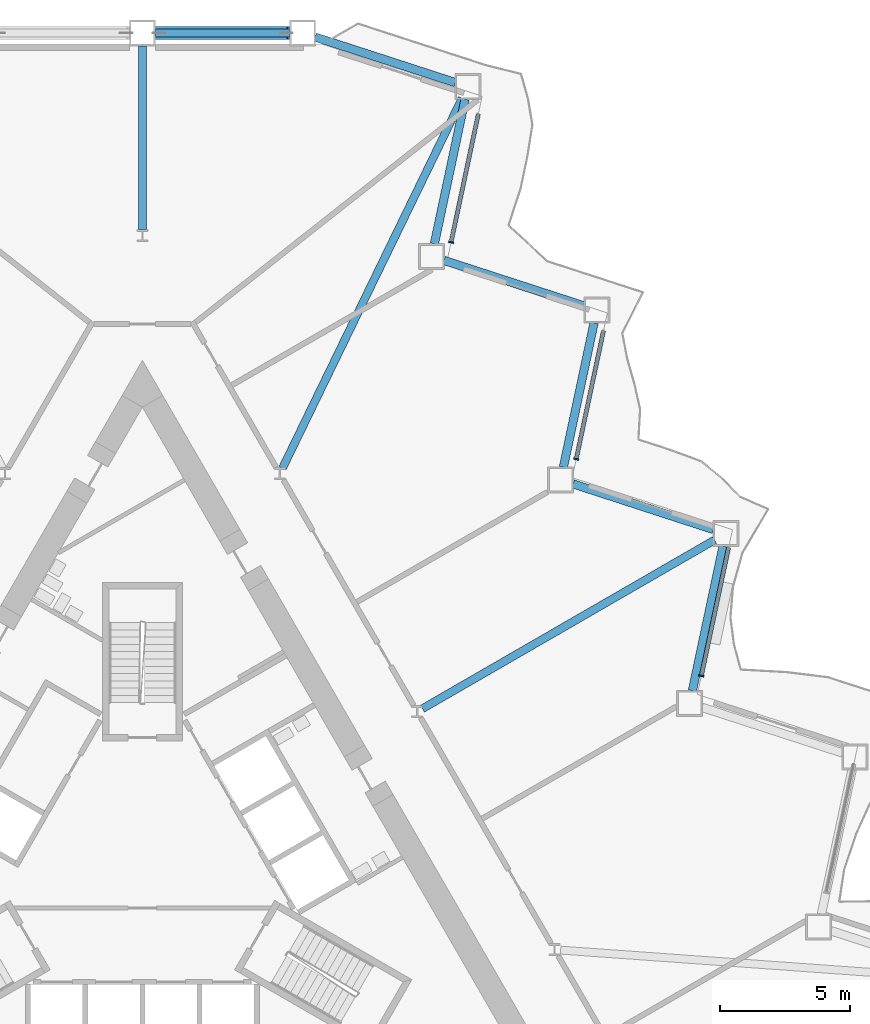
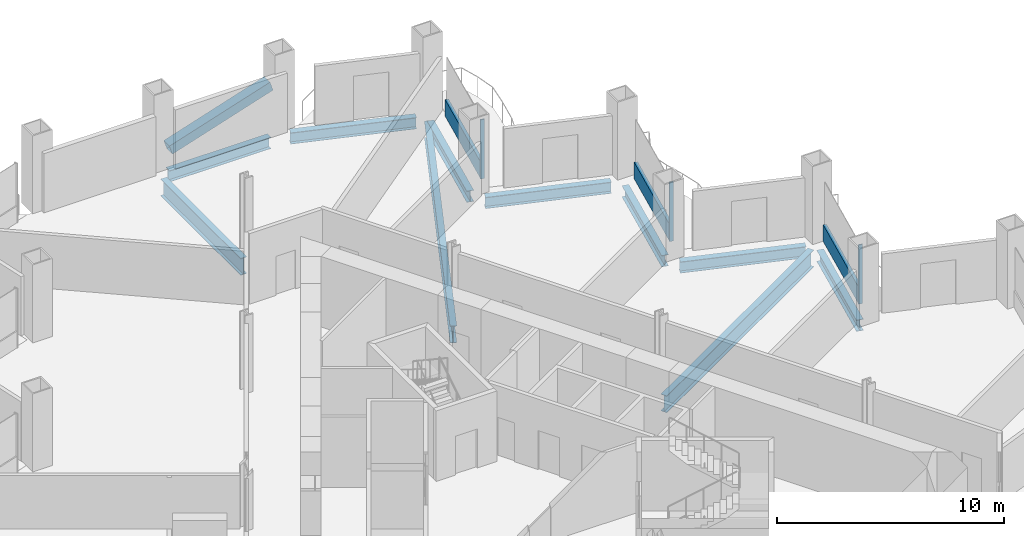
# One storey, part 7 of 20: 10 beams, 7 members, 3 elements without a shape of their own.
"""IFC4 building model written with IfcOpenShell, lengths in metres."""

import ifcopenshell
import ifcopenshell.guid

model = None  # the IFC model being written
_history = None  # IfcOwnerHistory: only IFC2X3 demands one
_inside = {}  # id of a spatial element -> (the spatial element, [elements in it])
_under = {}  # id of a project, library or spatial element -> (it, [spatial elements below it])
_declared = {}  # id of a project -> (the project, [libraries it declares])
_typed = {}  # id of a type object -> (the type object, [elements of that type])
_made_of = {}  # id of a material, layer set ... -> (it, [elements and type objects made of it])


def new_model(schema):
    """Start an empty IFC model of exactly this schema.

    Asked for "IFC4X3", IfcOpenShell would pick the latest addendum, in which some entities
    have other attributes; the version numbers below select the first issue.
    IFC2X3 requires an IfcOwnerHistory on every rooted entity: one is made here for all.
    """
    global model, _history
    if schema == "IFC4X3":
        model = ifcopenshell.file(schema_version=(4, 3, 0, 0))
    else:
        model = ifcopenshell.file(schema=schema)
    _inside.clear()
    _under.clear()
    _declared.clear()
    _typed.clear()
    _made_of.clear()
    _history = None
    if model.schema == "IFC2X3":
        org = make("IfcOrganization", Name="unknown")
        user = make(
            "IfcPersonAndOrganization",
            ThePerson=make("IfcPerson", FamilyName="unknown"),
            TheOrganization=org,
        )
        app = make(
            "IfcApplication",
            ApplicationDeveloper=org,
            Version="unknown",
            ApplicationFullName="unknown",
            ApplicationIdentifier="unknown",
        )
        _history = make(
            "IfcOwnerHistory",
            OwningUser=user,
            OwningApplication=app,
            ChangeAction="ADDED",
            CreationDate=0,
        )
    return model


def make(cls, **values):
    """One entity of the class cls with the attributes given. An attribute that is None is left unset."""
    return model.create_entity(
        cls, **{name: value for name, value in values.items() if value is not None}
    )


def rooted(cls, **values):
    """An entity with a GlobalId (a new one), such as an element, a storey or a relation."""
    return make(cls, GlobalId=ifcopenshell.guid.new(), OwnerHistory=_history, **values)


def si_unit(unit_type, name, prefix=None):
    """IfcSIUnit, for example si_unit("LENGTHUNIT", "METRE", prefix="MILLI")."""
    return make("IfcSIUnit", UnitType=unit_type, Prefix=prefix, Name=name)


def assignment(units):
    """IfcUnitAssignment: the units of a project."""
    return None if units is None else make("IfcUnitAssignment", Units=units)


def point(xyz):
    """IfcCartesianPoint."""
    return None if xyz is None else make("IfcCartesianPoint", Coordinates=xyz)


def direction(xyz):
    """IfcDirection."""
    return None if xyz is None else make("IfcDirection", DirectionRatios=xyz)


def frame(location, z_axis=None, x_axis=None):
    """IfcAxis2Placement3D, a coordinate frame: its origin and axes. An axis left out is left unset."""
    return make(
        "IfcAxis2Placement3D",
        Location=point(location),
        Axis=direction(z_axis),
        RefDirection=direction(x_axis),
    )


def frame_2d(location, x_axis=None):
    """IfcAxis2Placement2D, a coordinate frame in the plane: its origin and x axis."""
    return make(
        "IfcAxis2Placement2D", Location=point(location), RefDirection=direction(x_axis)
    )


def origin():
    """The frame at (0, 0, 0) with its axes left unset."""
    return frame((0.0, 0.0, 0.0))


def origin_2d():
    """The frame at (0, 0) in the plane with its x axis left unset."""
    return frame_2d((0.0, 0.0))


def place(relative_to, where):
    """IfcLocalPlacement: puts the frame where relative to a parent placement (None: the world)."""
    return make(
        "IfcLocalPlacement", PlacementRelTo=relative_to, RelativePlacement=where
    )


def context(
    kind, dimensions, precision=None, world=None, true_north=None, identifier=None
):
    """IfcGeometricRepresentationContext, for example the 3D "Model" context."""
    return make(
        "IfcGeometricRepresentationContext",
        ContextIdentifier=identifier,
        ContextType=kind,
        CoordinateSpaceDimension=dimensions,
        Precision=precision,
        WorldCoordinateSystem=world,
        TrueNorth=true_north,
    )


def subcontext(parent, identifier, kind, view, scale=None):
    """IfcGeometricRepresentationSubContext, for example "Body" below "Model"."""
    return make(
        "IfcGeometricRepresentationSubContext",
        ContextIdentifier=identifier,
        ContextType=kind,
        ParentContext=parent,
        TargetScale=scale,
        TargetView=view,
    )


def project(units=None, contexts=None):
    """IfcProject with its units and contexts."""
    return rooted(
        "IfcProject",
        Name="project",
        RepresentationContexts=contexts,
        UnitsInContext=assignment(units),
    )


def spatial(cls, under=None, at=None, **own):
    """A site, building, storey or space (cls), placed at a placement, below another one or the project."""
    s = rooted(cls, ObjectPlacement=at, **own)
    if under is not None:
        _under.setdefault(under.id(), (under, []))[1].append(s)
    return s


def profile(cls, at=None, kind="AREA", **sizes):
    """A parametric profile (cls). Its sizes go by their IFC names, for example OverallWidth=200.0."""
    return make(cls, ProfileType=kind, Position=at, **sizes)


def rectangle(**sizes):
    """IfcRectangleProfileDef."""
    return profile("IfcRectangleProfileDef", **sizes)


def hollow_rectangle(**sizes):
    """IfcRectangleHollowProfileDef."""
    return profile("IfcRectangleHollowProfileDef", **sizes)


def i_section(**sizes):
    """IfcIShapeProfileDef."""
    return profile("IfcIShapeProfileDef", **sizes)


def extrude(swept, where, along, depth):
    """IfcExtrudedAreaSolid: the profile swept, set in the frame where, extruded along a direction by depth."""
    return make(
        "IfcExtrudedAreaSolid",
        SweptArea=swept,
        Position=where,
        ExtrudedDirection=direction(along),
        Depth=depth,
    )


def shape(context_of_items, identifier, shape_type, items):
    """IfcShapeRepresentation: the items that make up one representation, for example the "Body"."""
    return make(
        "IfcShapeRepresentation",
        ContextOfItems=context_of_items,
        RepresentationIdentifier=identifier,
        RepresentationType=shape_type,
        Items=items,
    )


def material(Name=None, Category=None):
    """IfcMaterial."""
    return make("IfcMaterial", Name=Name, Category=Category)


def layer(
    of_material, thickness, ventilated=None, Name=None, Category=None, Priority=None
):
    """IfcMaterialLayer: one layer of a wall or slab, of a material (None: an air gap)."""
    return make(
        "IfcMaterialLayer",
        Material=of_material,
        LayerThickness=thickness,
        IsVentilated=ventilated,
        Name=Name,
        Category=Category,
        Priority=Priority,
    )


def layer_set(layers, Name=None):
    """IfcMaterialLayerSet."""
    return make("IfcMaterialLayerSet", MaterialLayers=layers, LayerSetName=Name)


def material_profile(
    of_material, cross_section, Name=None, Category=None, Priority=None
):
    """IfcMaterialProfile: a cross section and its material."""
    return make(
        "IfcMaterialProfile",
        Name=Name,
        Material=of_material,
        Profile=cross_section,
        Priority=Priority,
        Category=Category,
    )


def profile_set(profiles, Name=None, composite=None):
    """IfcMaterialProfileSet."""
    return make(
        "IfcMaterialProfileSet",
        Name=Name,
        MaterialProfiles=profiles,
        CompositeProfile=composite,
    )


def made_of(thing, what):
    """Note that an element or type object is made of a material, layer set ...; save() writes the relation."""
    if what is not None:
        _made_of.setdefault(what.id(), (what, []))[1].append(thing)
    return thing


def type_object(cls, material=None, **own):
    """A type object (cls), such as IfcWallType, which elements share."""
    return made_of(rooted(cls, **own), material)


def element(
    cls,
    number,
    at=None,
    inside=None,
    cuts=None,
    type_object=None,
    material=None,
    context=None,
    identifier="Body",
    shape_type=None,
    held_by="IfcProductDefinitionShape",
    body=None,
    shapes=None,
    **own,
):
    """One element of the class cls, such as IfcWall. Its Tag is "e" and its number.

    at: its placement. inside: the storey or other place that contains it. cuts: it is an
    opening in that element (IfcRelVoidsElement). A single representation is given by context,
    identifier, shape_type and body (its items); several are given by shapes. held_by: the class
    of the entity that holds the representations. save() writes the other relations.
    """
    e = rooted(cls, Tag="e%d" % number, ObjectPlacement=at, **own)
    if body is not None:
        shapes = [shape(context, identifier, shape_type, body)]
    if shapes is not None:
        e.Representation = make(held_by, Representations=shapes)
    if inside is not None:
        _inside.setdefault(inside.id(), (inside, []))[1].append(e)
    if cuts is not None:
        rooted(
            "IfcRelVoidsElement", RelatingBuildingElement=cuts, RelatedOpeningElement=e
        )
    if type_object is not None:
        _typed.setdefault(type_object.id(), (type_object, []))[1].append(e)
    return made_of(e, material)


def aggregate(whole, parts):
    """IfcRelAggregates: a whole, such as a stair, and the parts it consists of."""
    return rooted("IfcRelAggregates", RelatingObject=whole, RelatedObjects=parts)


def save(model, path):
    """Write the relations noted so far, then the file.

    IfcRelAggregates (storeys below a building ...), IfcRelContainedInSpatialStructure (elements
    in a storey), IfcRelDefinesByType, IfcRelAssociatesMaterial and IfcRelDeclares: one each for
    every whole, place, type object, material and project.
    """
    for whole, parts in _under.values():
        aggregate(whole, parts)
    for where, things in _inside.values():
        rooted(
            "IfcRelContainedInSpatialStructure",
            RelatedElements=things,
            RelatingStructure=where,
        )
    for kind, things in _typed.values():
        rooted("IfcRelDefinesByType", RelatedObjects=things, RelatingType=kind)
    for what, things in _made_of.values():
        rooted("IfcRelAssociatesMaterial", RelatedObjects=things, RelatingMaterial=what)
    for by, libraries in _declared.values():
        rooted("IfcRelDeclares", RelatingContext=by, RelatedDefinitions=libraries)
    model.write(path)


model = new_model("IFC4")

# Units and contexts
model_context = context("Model", 3, precision=1e-05, world=origin(), true_north=direction((0.0, 1.0)))
body_context = subcontext(model_context, "Body", "Model", "MODEL_VIEW")
ifc_project = project(units=[si_unit("LENGTHUNIT", "METRE"), si_unit("AREAUNIT", "SQUARE_METRE"), si_unit("VOLUMEUNIT", "CUBIC_METRE"), si_unit("PLANEANGLEUNIT", "RADIAN"), si_unit("MASSUNIT", "GRAM", prefix="KILO")], contexts=[model_context])

# Site, building, storey
site_placement = place(None, origin())
site = spatial("IfcSite", under=ifc_project, at=site_placement, CompositionType="ELEMENT")
building_placement = place(site_placement, origin())
building = spatial("IfcBuilding", under=site, at=building_placement, Name="Cormorant Prow Tower", CompositionType="ELEMENT")
storey_placement = place(building_placement, frame((0.0, 0.0, 34.199951171875)))
storey = spatial("IfcBuildingStorey", under=building, at=storey_placement, Name="L06", CompositionType="ELEMENT", Elevation=34.199951171875)

# Member
ifc_material_1 = material(Name="Structural steel ASTM A500 Gr C", Category="steel")
ifc_material_profile_1 = material_profile(ifc_material_1, hollow_rectangle(XDim=0.508056640625, YDim=0.508056640625, WallThickness=0.014892578125, at=origin_2d()), Name="HSS20x20x5/8")
ifc_profile_set_1 = profile_set([ifc_material_profile_1], Name="Structural steel ASTM A500 Gr C")
member_type_1 = type_object("IfcMemberType", Name="Chamfer brace HSS20x20x5/8", PredefinedType="BRACE", material=ifc_profile_set_1)
member_1_placement = place(storey_placement, frame((0.518798828125, 32.233642578125, 0.767333984375), z_axis=(0.951774314198, 0.0, 0.306799046335), x_axis=(0.0, 1.0, 0.0)))
element("IfcMember", 1, at=member_1_placement, inside=storey, type_object=member_type_1, Name="Chamfer brace BR1 at N00 L06", PredefinedType="BRACE", context=body_context, shape_type="SweptSolid", body=[
    extrude(hollow_rectangle(XDim=0.508056640625, YDim=0.508056640625, WallThickness=0.014892578125, at=origin_2d()), origin(), (0.0, 0.0, 1.0), 5.39208984375),
])

# Curtain wall, member
ifc_material_2 = material(Name="Aluminium 6063-T6", Category="aluminium")
ifc_layer = layer(ifc_material_2, 0.199951171875)
ifc_layer_set = layer_set([ifc_layer], Name="Aluminium 6063-T6")
curtain_wall_type = type_object("IfcCurtainWallType", Name="Office unitised curtain wall 200", PredefinedType="NOTDEFINED", material=ifc_layer_set)
curtain_wall_1_placement = place(storey_placement, origin())
curtain_wall_1 = element("IfcCurtainWall", 2, at=curtain_wall_1_placement, inside=storey, type_object=curtain_wall_type, Name="Office curtain wall ENE04", PredefinedType="NOTDEFINED")
ifc_material_3 = material(Name="Aluminium 6063-T6", Category="aluminium")
ifc_material_profile_2 = material_profile(ifc_material_3, rectangle(XDim=0.199951171875, YDim=0.06005859375, at=origin_2d()), Name="Office mullion 60x200")
ifc_profile_set_2 = profile_set([ifc_material_profile_2], Name="Aluminium 6063-T6")
member_type_2 = type_object("IfcMemberType", Name="Office mullion 60x200", PredefinedType="MULLION", material=ifc_profile_set_2)
member_2_placement = place(storey_placement, frame((21.517333984375, 7.4892578125, 0.0), z_axis=(0.0, 0.0, 1.0), x_axis=(-0.978147617041, 0.207911614097, 0.0)))
member_2 = element("IfcMember", 3, at=member_2_placement, type_object=member_type_2, Name="Office mullion ENE04", PredefinedType="MULLION", context=body_context, shape_type="SweptSolid", body=[
    extrude(rectangle(XDim=0.199951171875, YDim=0.06005859375, at=origin_2d()), origin(), (0.0, 0.0, 1.0), 3.18896484375),
])

curtain_wall_2_placement = place(storey_placement, origin())
curtain_wall_2 = element("IfcCurtainWall", 4, at=curtain_wall_2_placement, inside=storey, type_object=curtain_wall_type, Name="Office curtain wall ENE06", PredefinedType="NOTDEFINED")
member_3_placement = place(storey_placement, frame((16.69970703125, 15.83349609375, 0.0), z_axis=(0.0, 0.0, 1.0), x_axis=(-0.978147585671, 0.207911761683, 0.0)))
member_3 = element("IfcMember", 5, at=member_3_placement, type_object=member_type_2, Name="Office mullion ENE06", PredefinedType="MULLION", context=body_context, shape_type="SweptSolid", body=[
    extrude(rectangle(XDim=0.199951171875, YDim=0.06005859375, at=origin_2d()), origin(), (0.0, 0.0, 1.0), 3.18896484375),
])

curtain_wall_3_placement = place(storey_placement, origin())
curtain_wall_3 = element("IfcCurtainWall", 6, at=curtain_wall_3_placement, inside=storey, type_object=curtain_wall_type, Name="Office curtain wall ENE08", PredefinedType="NOTDEFINED")
member_4_placement = place(storey_placement, frame((11.882080078125, 24.177734375, 0.0), z_axis=(0.0, 0.0, 1.0), x_axis=(-0.978147585671, 0.207911761683, 0.0)))
member_4 = element("IfcMember", 7, at=member_4_placement, type_object=member_type_2, Name="Office mullion ENE08", PredefinedType="MULLION", context=body_context, shape_type="SweptSolid", body=[
    extrude(rectangle(XDim=0.199951171875, YDim=0.06005859375, at=origin_2d()), origin(), (0.0, 0.0, 1.0), 3.18896484375),
])

# Member
ifc_material_4 = material(Name="Terracotta", Category="masonry")
ifc_material_profile_3 = material_profile(ifc_material_4, rectangle(XDim=0.159912109375, YDim=0.89990234375, at=origin_2d()), Name="Office terracotta spandrel rail 160x900")
ifc_profile_set_3 = profile_set([ifc_material_profile_3], Name="Terracotta")
member_type_3 = type_object("IfcMemberType", Name="Office terracotta spandrel rail 160x900", PredefinedType="USERDEFINED", material=ifc_profile_set_3)
member_5_placement = place(storey_placement, frame((21.5234375, 7.5185546875, 0.449951171875), z_axis=(0.207950135672, 0.978139428238, 0.0), x_axis=(-0.978139428238, 0.207950135672, 0.0)))
member_5 = element("IfcMember", 8, at=member_5_placement, type_object=member_type_3, Name="Office spandrel rail ENE04", ObjectType="TRANSOM", PredefinedType="USERDEFINED", context=body_context, shape_type="SweptSolid", body=[
    extrude(rectangle(XDim=0.159912109375, YDim=0.89990234375, at=origin_2d()), origin(), (0.0, 0.0, 1.0), 5.0166015625),
])

aggregate(curtain_wall_1, [member_2, member_5])

member_6_placement = place(storey_placement, frame((16.7060546875, 15.86279296875, 0.449951171875), z_axis=(0.20790357337, 0.978149326115, 0.0), x_axis=(-0.978149326115, 0.20790357337, 0.0)))
member_6 = element("IfcMember", 9, at=member_6_placement, type_object=member_type_3, Name="Office spandrel rail ENE06", ObjectType="TRANSOM", PredefinedType="USERDEFINED", context=body_context, shape_type="SweptSolid", body=[
    extrude(rectangle(XDim=0.159912109375, YDim=0.89990234375, at=origin_2d()), origin(), (0.0, 0.0, 1.0), 5.0166015625),
])

aggregate(curtain_wall_2, [member_3, member_6])

member_7_placement = place(storey_placement, frame((11.888427734375, 24.20703125, 0.449951171875), z_axis=(0.20790357337, 0.978149326115, 0.0), x_axis=(-0.978149326115, 0.20790357337, 0.0)))
member_7 = element("IfcMember", 10, at=member_7_placement, type_object=member_type_3, Name="Office spandrel rail ENE08", ObjectType="TRANSOM", PredefinedType="USERDEFINED", context=body_context, shape_type="SweptSolid", body=[
    extrude(rectangle(XDim=0.159912109375, YDim=0.89990234375, at=origin_2d()), origin(), (0.0, 0.0, 1.0), 5.0166015625),
])

aggregate(curtain_wall_3, [member_4, member_7])

# Beams
ifc_material_5 = material(Name="Structural steel ASTM A992 Gr 50", Category="steel")
ifc_material_profile_4 = material_profile(ifc_material_5, i_section(OverallWidth=0.3046875, OverallDepth=0.914794921875, WebThickness=0.0166015625, FlangeThickness=0.02587890625, at=origin_2d()), Name="W36x160")
ifc_profile_set_4 = profile_set([ifc_material_profile_4], Name="Structural steel ASTM A992 Gr 50")
beam_type_1 = type_object("IfcBeamType", Name="Radial floor beam W36x160", PredefinedType="BEAM", material=ifc_profile_set_4)
beam_1_placement = place(storey_placement, frame((0.0, 24.662109375, -0.857421875), z_axis=(0.0, 1.0, 0.0), x_axis=(-1.0, 0.0, 0.0)))
element("IfcBeam", 11, at=beam_1_placement, inside=storey, type_object=beam_type_1, Name="Radial floor beam FB1 1 L06", PredefinedType="BEAM", context=body_context, shape_type="SweptSolid", body=[
    extrude(i_section(OverallWidth=0.3046875, OverallDepth=0.914794921875, WebThickness=0.0166015625, FlangeThickness=0.02587890625, at=origin_2d()), origin(), (0.0, 0.0, 1.0), 7.071533203125),
])
beam_2_placement = place(storey_placement, frame((10.779541015625, 6.2236328125, -0.857421875), z_axis=(0.866030278318, 0.499991556966, 0.0), x_axis=(-0.499991556966, 0.866030278318, 0.0)))
element("IfcBeam", 12, at=beam_2_placement, inside=storey, type_object=beam_type_1, Name="Radial floor beam FB1 11 L06", PredefinedType="BEAM", context=body_context, shape_type="SweptSolid", body=[
    extrude(i_section(OverallWidth=0.3046875, OverallDepth=0.914794921875, WebThickness=0.0166015625, FlangeThickness=0.02587890625, at=origin_2d()), origin(), (0.0, 0.0, 1.0), 12.984130859375),
])
beam_3_placement = place(storey_placement, frame((5.390625, 15.4775390625, -0.857421875), z_axis=(0.436839436813, 0.899539496879, 0.0), x_axis=(-0.899539496879, 0.436839436813, 0.0)))
element("IfcBeam", 13, at=beam_3_placement, inside=storey, type_object=beam_type_1, Name="Radial floor beam FB1 12 L06", PredefinedType="BEAM", context=body_context, shape_type="SweptSolid", body=[
    extrude(i_section(OverallWidth=0.3046875, OverallDepth=0.914794921875, WebThickness=0.0166015625, FlangeThickness=0.02587890625, at=origin_2d()), origin(), (0.0, 0.0, 1.0), 15.83203125),
])
ifc_material_6 = material(Name="Structural steel ASTM A992 Gr 50", Category="steel")
ifc_material_profile_5 = material_profile(ifc_material_6, i_section(OverallWidth=0.32373046875, OverallDepth=0.611083984375, WebThickness=0.0126953125, FlangeThickness=0.01904296875, at=origin_2d()), Name="W24x104")
ifc_profile_set_5 = profile_set([ifc_material_profile_5], Name="Structural steel ASTM A992 Gr 50")
beam_type_2 = type_object("IfcBeamType", Name="Spandrel beam W24x104", PredefinedType="SPANDREL", material=ifc_profile_set_5)
beam_4_placement = place(storey_placement, frame((21.171875, 6.918212890625, -0.70556640625), z_axis=(0.207900376723, 0.97815000555, 0.0), x_axis=(-0.97815000555, 0.207900376723, 0.0)))
element("IfcBeam", 14, at=beam_4_placement, inside=storey, type_object=beam_type_2, Name="Spandrel beam SB1 ENE04-ENE05 L06", PredefinedType="SPANDREL", context=body_context, shape_type="SweptSolid", body=[
    extrude(i_section(OverallWidth=0.32373046875, OverallDepth=0.611083984375, WebThickness=0.0126953125, FlangeThickness=0.01904296875, at=origin_2d()), origin(), (0.0, 0.0, 1.0), 5.6826171875),
])
beam_5_placement = place(storey_placement, frame((21.981689453125, 13.1201171875, -0.70556640625), z_axis=(-0.951049222751, 0.309039440696, 0.0), x_axis=(-0.309039440696, -0.951049222751, 0.0)))
element("IfcBeam", 15, at=beam_5_placement, inside=storey, type_object=beam_type_2, Name="Spandrel beam SB1 ENE05-ENE06 L06", PredefinedType="SPANDREL", context=body_context, shape_type="SweptSolid", body=[
    extrude(i_section(OverallWidth=0.32373046875, OverallDepth=0.611083984375, WebThickness=0.0126953125, FlangeThickness=0.01904296875, at=origin_2d()), origin(), (0.0, 0.0, 1.0), 5.682373046875),
])
beam_6_placement = place(storey_placement, frame((16.205810546875, 15.519775390625, -0.70556640625), z_axis=(0.207900376723, 0.97815000555, 0.0), x_axis=(-0.97815000555, 0.207900376723, 0.0)))
element("IfcBeam", 16, at=beam_6_placement, inside=storey, type_object=beam_type_2, Name="Spandrel beam SB1 ENE06-ENE07 L06", PredefinedType="SPANDREL", context=body_context, shape_type="SweptSolid", body=[
    extrude(i_section(OverallWidth=0.32373046875, OverallDepth=0.611083984375, WebThickness=0.0126953125, FlangeThickness=0.01904296875, at=origin_2d()), origin(), (0.0, 0.0, 1.0), 5.6826171875),
])
beam_7_placement = place(storey_placement, frame((17.015625, 21.7216796875, -0.70556640625), z_axis=(-0.951049222751, 0.309039440696, 0.0), x_axis=(-0.309039440696, -0.951049222751, 0.0)))
element("IfcBeam", 17, at=beam_7_placement, inside=storey, type_object=beam_type_2, Name="Spandrel beam SB1 ENE07-ENE08 L06", PredefinedType="SPANDREL", context=body_context, shape_type="SweptSolid", body=[
    extrude(i_section(OverallWidth=0.32373046875, OverallDepth=0.611083984375, WebThickness=0.0126953125, FlangeThickness=0.01904296875, at=origin_2d()), origin(), (0.0, 0.0, 1.0), 5.682373046875),
])
beam_8_placement = place(storey_placement, frame((11.23974609375, 24.121337890625, -0.70556640625), z_axis=(0.207900376723, 0.97815000555, 0.0), x_axis=(-0.97815000555, 0.207900376723, 0.0)))
element("IfcBeam", 18, at=beam_8_placement, inside=storey, type_object=beam_type_2, Name="Spandrel beam SB1 ENE08-ENE09 L06", PredefinedType="SPANDREL", context=body_context, shape_type="SweptSolid", body=[
    extrude(i_section(OverallWidth=0.32373046875, OverallDepth=0.611083984375, WebThickness=0.0126953125, FlangeThickness=0.01904296875, at=origin_2d()), origin(), (0.0, 0.0, 1.0), 5.6826171875),
])
beam_9_placement = place(storey_placement, frame((12.049560546875, 30.3232421875, -0.70556640625), z_axis=(-0.951061849722, 0.309000579292, 0.0), x_axis=(-0.309000579292, -0.951061849722, 0.0)))
element("IfcBeam", 19, at=beam_9_placement, inside=storey, type_object=beam_type_2, Name="Spandrel beam SB1 ENE09-N00 L06", PredefinedType="SPANDREL", context=body_context, shape_type="SweptSolid", body=[
    extrude(i_section(OverallWidth=0.32373046875, OverallDepth=0.611083984375, WebThickness=0.0126953125, FlangeThickness=0.01904296875, at=origin_2d()), origin(), (0.0, 0.0, 1.0), 5.682373046875),
])
beam_10_placement = place(storey_placement, frame((5.669677734375, 32.233642578125, -0.70556640625), z_axis=(-1.0, 0.0, 0.0), x_axis=(0.0, -1.0, 0.0)))
element("IfcBeam", 20, at=beam_10_placement, inside=storey, type_object=beam_type_2, Name="Spandrel beam SB1 N00-N01 L06", PredefinedType="SPANDREL", context=body_context, shape_type="SweptSolid", body=[
    extrude(i_section(OverallWidth=0.32373046875, OverallDepth=0.611083984375, WebThickness=0.0126953125, FlangeThickness=0.01904296875, at=origin_2d()), origin(), (0.0, 0.0, 1.0), 5.169677734375),
])

save(model, "model.ifc")
